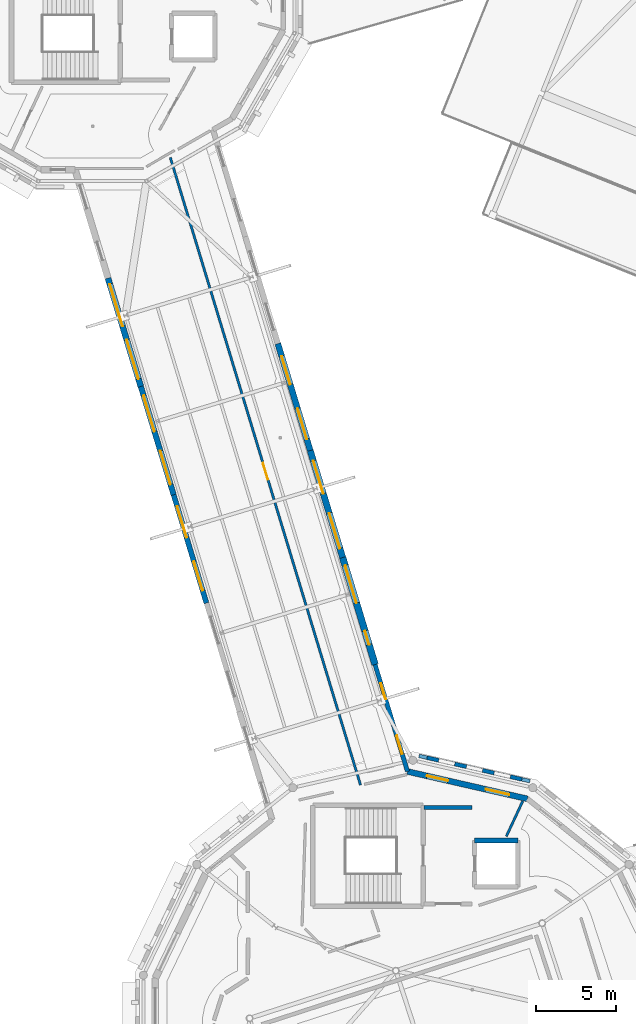
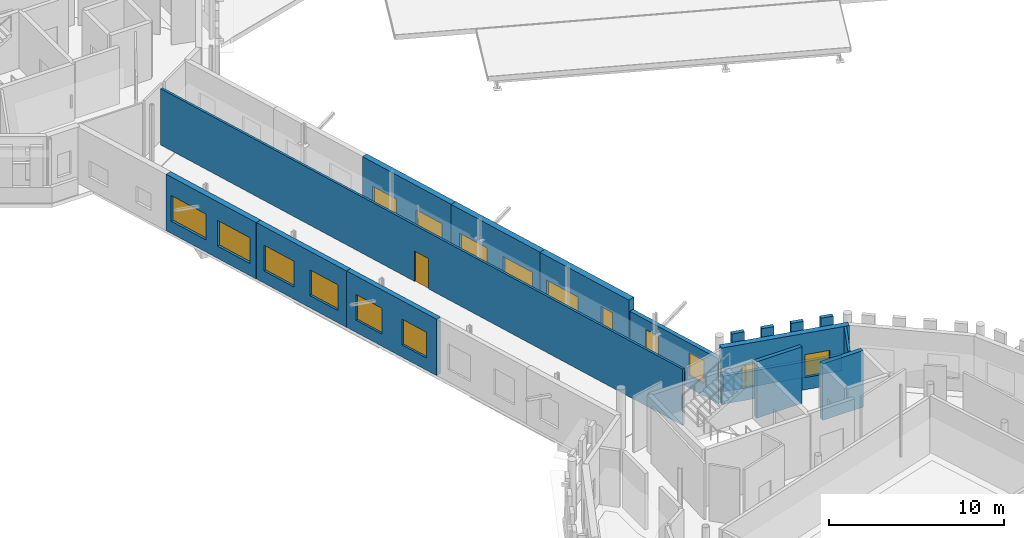
# One storey, part 54 of 90: 17 walls, 16 windows, 1 door, 17 openings.
"""IFC4 building model written with IfcOpenShell, lengths in metres."""

from ifc_helpers import new_model, si_unit, direction, frame, frame_2d, origin, place, context, subcontext, project, spatial, rectangle, extrude, material, layer, layer_set, type_object, element, fill, save


model = new_model("IFC4")

# Units and contexts
model_context = context("Model", 3, precision=1e-05, world=origin(), true_north=direction((0.0, 1.0)))
body_context = subcontext(model_context, "Body", "Model", "MODEL_VIEW")
ifc_project = project(units=[si_unit("LENGTHUNIT", "METRE"), si_unit("AREAUNIT", "SQUARE_METRE"), si_unit("VOLUMEUNIT", "CUBIC_METRE"), si_unit("PLANEANGLEUNIT", "RADIAN"), si_unit("MASSUNIT", "GRAM", prefix="KILO")], contexts=[model_context])

# Site, building, storey
site_placement = place(None, origin())
site = spatial("IfcSite", under=ifc_project, at=site_placement, CompositionType="ELEMENT")
building_placement = place(site_placement, origin())
building = spatial("IfcBuilding", under=site, at=building_placement, Name="Wrenclough Park School", CompositionType="ELEMENT")
storey_placement = place(building_placement, frame((0.0, 0.0, 8.39990234375)))
storey = spatial("IfcBuildingStorey", under=building, at=storey_placement, Name="L02", CompositionType="ELEMENT", Elevation=8.39990234375)

# Walls
ifc_material_1 = material(Name="Perforated open-bond Staffordshire and Manchester brick screen pier", Category="masonry")
ifc_layer_1 = layer(ifc_material_1, 0.2451171875)
ifc_layer_set_1 = layer_set([ifc_layer_1], Name="Perforated open-bond Staffordshire and Manchester brick screen pier")
wall_type_1 = type_object("IfcWallType", Name="ENV-BS-PR245", PredefinedType="ELEMENTEDWALL", material=ifc_layer_set_1)
wall_1_placement = place(storey_placement, frame((43.302978515625, 39.5625, 1.090087890625), z_axis=(0.0, 0.0, 1.0), x_axis=(-0.974874768559, 0.222753643354, 0.0)))
element("IfcWall", 1, at=wall_1_placement, inside=storey, type_object=wall_type_1, Name="D2 L02 perforated brick screen pier 0462", PredefinedType="ELEMENTEDWALL", context=body_context, shape_type="SweptSolid", body=[
    extrude(rectangle(XDim=0.745361328125, YDim=0.2451171875, at=frame_2d((0.37255859375, 0.0))), origin(), (0.0, 0.0, 1.0), 2.85009765625),
])
for number, where, z_axis, x_axis, name in (
    (2, (41.572509765625, 39.95751953125, 1.090087890625), (0.0, 0.0, 1.0), (-0.974929642305, 0.222513353655, 0.0), "D2 L02 perforated brick screen pier 0463"),
    (3, (39.842041015625, 40.3525390625, 1.090087890625), (0.0, 0.0, 1.0), (-0.974929642305, 0.222513353655, 0.0), "D2 L02 perforated brick screen pier 0464"),
    (4, (38.11181640625, 40.74755859375, 1.090087890625), (0.0, 0.0, 1.0), (-0.974945860046, 0.222442284601, 0.0), "D2 L02 perforated brick screen pier 0465"),
):
    element("IfcWall", number, at=place(storey_placement, frame(where, z_axis=z_axis, x_axis=x_axis)), inside=storey, type_object=wall_type_1, Name=name, PredefinedType="ELEMENTEDWALL", context=body_context, shape_type="SweptSolid", body=[
        extrude(rectangle(XDim=0.7451171875, YDim=0.2451171875, at=frame_2d((0.37255859375, 0.0))), origin(), (0.0, 0.0, 1.0), 2.85009765625),
    ])
ifc_material_2 = material(Name="Open-bond Manchester multi-stock brick spandrel screen", Category="masonry")
ifc_layer_2 = layer(ifc_material_2, 0.22509765625)
ifc_layer_set_2 = layer_set([ifc_layer_2], Name="Open-bond Manchester multi-stock brick spandrel screen")
wall_type_2 = type_object("IfcWallType", Name="ENV-BS-SP225", PredefinedType="ELEMENTEDWALL", material=ifc_layer_set_2)
wall_2_placement = place(storey_placement, frame((43.804931640625, 39.447998046875, 0.0), z_axis=(0.0, 0.0, 1.0), x_axis=(-0.974927395508, 0.222523197641, 0.0)))
element("IfcWall", 5, at=wall_2_placement, inside=storey, type_object=wall_type_2, Name="D2 L02 open-bond brick screen spandrel 0126", PredefinedType="ELEMENTEDWALL", context=body_context, shape_type="SweptSolid", body=[
    extrude(rectangle(XDim=7.099609375, YDim=0.22509765625, at=frame_2d((3.5498046875, 0.0))), origin(), (0.0, 0.0, 1.0), 1.090087890625),
])

# Wall, openings, windows
ifc_material_3 = material(Name="Link wing brick-faced cavity wall Concrete C32/40", Category="masonry")
ifc_layer_3 = layer(ifc_material_3, 0.27490234375)
ifc_layer_set_3 = layer_set([ifc_layer_3], Name="Link wing brick-faced cavity wall Concrete C32/40")
wall_type_3 = type_object("IfcWallType", Name="ENV-EW-275", PredefinedType="SOLIDWALL", material=ifc_layer_set_3)
wall_3_placement = place(storey_placement, frame((34.142578125, 46.727783203125, 0.0), z_axis=(0.0, 0.0, 1.0), x_axis=(0.289999622439, -0.957026759806, 0.0)))
wall_3 = element("IfcWall", 6, at=wall_3_placement, inside=storey, type_object=wall_type_3, Name="L02 insulated brick external wall 0246", PredefinedType="SOLIDWALL", context=body_context, shape_type="SweptSolid", body=[
    extrude(rectangle(XDim=6.97412109375, YDim=0.27490234375, at=frame_2d((3.487060546875, 0.0))), origin(), (0.0, 0.0, 1.0), 3.132080078125),
])
opening_1_placement = place(wall_3_placement, frame((1.218505859375, 0.0, 0.85009765625)))
opening_1 = element("IfcOpeningElement", 7, at=opening_1_placement, cuts=wall_3, Name="Opening WN-14", PredefinedType="OPENING", context=body_context, shape_type="SweptSolid", body=[
    extrude(rectangle(XDim=1.050048828125, YDim=1.60009765625, at=frame_2d((0.52490234375, 0.800048828125))), frame((0.0, 0.1474609375, 0.0), z_axis=(0.0, -1.0, 0.0), x_axis=(1.0, 0.0, 0.0)), (0.0, 0.0, 1.0), 0.294921875),
])
opening_2_placement = place(wall_3_placement, frame((4.630615234375, 0.0, 0.85009765625)))
opening_2 = element("IfcOpeningElement", 8, at=opening_2_placement, cuts=wall_3, Name="Opening WN-15", PredefinedType="OPENING", context=body_context, shape_type="SweptSolid", body=[
    extrude(rectangle(XDim=1.199951171875, YDim=1.60009765625, at=frame_2d((0.60009765625, 0.800048828125))), frame((0.0, 0.1474609375, 0.0), z_axis=(0.0, -1.0, 0.0), x_axis=(1.0, 0.0, 0.0)), (0.0, 0.0, 1.0), 0.294921875),
])
ifc_material_4 = material(Name="Thermally broken aluminium and double-glazed low-e glass", Category="aluminium")
window_type_1 = type_object("IfcWindowType", Name="ENV-WN-14", PartitioningType="SINGLE_PANEL", PredefinedType="WINDOW", material=ifc_material_4)
window_1_placement = place(opening_1_placement, origin())
window_1 = element("IfcWindow", 9, at=window_1_placement, inside=storey, type_object=window_type_1, Name="L02 scheduled facade window 0405", OverallHeight=1.60009765625, OverallWidth=1.050048828125, PartitioningType="SINGLE_PANEL", PredefinedType="WINDOW", context=body_context, shape_type="SweptSolid", body=[
    extrude(rectangle(XDim=1.050048828125, YDim=1.60009765625, at=frame_2d((0.52490234375, 0.800048828125))), frame((0.0, 0.030029296875, 0.0), z_axis=(0.0, -1.0, 0.0), x_axis=(1.0, 0.0, 0.0)), (0.0, 0.0, 1.0), 0.06005859375),
])
fill(opening_1, window_1)
window_type_2 = type_object("IfcWindowType", Name="ENV-WN-15", PartitioningType="SINGLE_PANEL", PredefinedType="WINDOW", material=ifc_material_4)
window_2_placement = place(opening_2_placement, origin())
window_2 = element("IfcWindow", 10, at=window_2_placement, inside=storey, type_object=window_type_2, Name="L02 scheduled facade window 0406", OverallHeight=1.60009765625, OverallWidth=1.199951171875, PartitioningType="SINGLE_PANEL", PredefinedType="WINDOW", context=body_context, shape_type="SweptSolid", body=[
    extrude(rectangle(XDim=1.199951171875, YDim=1.60009765625, at=frame_2d((0.60009765625, 0.800048828125))), frame((0.0, 0.030029296875, 0.0), z_axis=(0.0, -1.0, 0.0), x_axis=(1.0, 0.0, 0.0)), (0.0, 0.0, 1.0), 0.06005859375),
])
fill(opening_2, window_2)

ifc_material_5 = material(Name="Manchester multi-stock brick and Concrete C32/40 inner leaf", Category="masonry")
ifc_layer_4 = layer(ifc_material_5, 0.324951171875)
ifc_layer_set_4 = layer_set([ifc_layer_4], Name="Manchester multi-stock brick and Concrete C32/40 inner leaf")
wall_type_4 = type_object("IfcWallType", Name="ENV-EW-325", PredefinedType="SOLIDWALL", material=ifc_layer_set_4)
wall_4_placement = place(storey_placement, frame((23.619140625, 50.55859375, 0.0), z_axis=(0.0, 0.0, 1.0), x_axis=(-0.290004516903, 0.957025276665, 0.0)))
wall_4 = element("IfcWall", 11, at=wall_4_placement, inside=storey, type_object=wall_type_4, Name="L02 insulated brick external wall 0225", PredefinedType="SOLIDWALL", context=body_context, shape_type="SweptSolid", body=[
    extrude(rectangle(XDim=7.062255859375, YDim=0.324951171875, at=frame_2d((3.53125, 0.0))), origin(), (0.0, 0.0, 1.0), 3.940185546875),
])
opening_3_placement = place(wall_4_placement, frame((0.815673828125, 0.0, 0.85009765625)))
opening_3 = element("IfcOpeningElement", 12, at=opening_3_placement, cuts=wall_4, Name="Opening WN-31", PredefinedType="OPENING", context=body_context, shape_type="SweptSolid", body=[
    extrude(rectangle(XDim=1.89990234375, YDim=1.800048828125, at=frame_2d((0.949951171875, 0.89990234375))), frame((0.0, 0.17236328125, 0.0), z_axis=(0.0, -1.0, 0.0), x_axis=(1.0, 0.0, 0.0)), (0.0, 0.0, 1.0), 0.344970703125),
])
opening_4_placement = place(wall_4_placement, frame((4.271728515625, 0.0, 0.85009765625)))
opening_4 = element("IfcOpeningElement", 13, at=opening_4_placement, cuts=wall_4, Name="Opening WN-32", PredefinedType="OPENING", context=body_context, shape_type="SweptSolid", body=[
    extrude(rectangle(XDim=2.050048828125, YDim=1.800048828125, at=frame_2d((1.02490234375, 0.89990234375))), frame((0.0, 0.17236328125, 0.0), z_axis=(0.0, -1.0, 0.0), x_axis=(1.0, 0.0, 0.0)), (0.0, 0.0, 1.0), 0.344970703125),
])
window_type_3 = type_object("IfcWindowType", Name="ENV-WN-31", PartitioningType="DOUBLE_PANEL_VERTICAL", PredefinedType="WINDOW", material=ifc_material_4)
window_3_placement = place(opening_3_placement, origin())
window_3 = element("IfcWindow", 14, at=window_3_placement, inside=storey, type_object=window_type_3, Name="L02 scheduled facade window 0366", OverallHeight=1.800048828125, OverallWidth=1.89990234375, PartitioningType="SINGLE_PANEL", PredefinedType="WINDOW", context=body_context, shape_type="SweptSolid", body=[
    extrude(rectangle(XDim=1.89990234375, YDim=1.800048828125, at=frame_2d((0.949951171875, 0.89990234375))), frame((0.0, 0.030029296875, 0.0), z_axis=(0.0, -1.0, 0.0), x_axis=(1.0, 0.0, 0.0)), (0.0, 0.0, 1.0), 0.06005859375),
])
fill(opening_3, window_3)
window_type_4 = type_object("IfcWindowType", Name="ENV-WN-32", PartitioningType="DOUBLE_PANEL_VERTICAL", PredefinedType="WINDOW", material=ifc_material_4)
window_4_placement = place(opening_4_placement, origin())
window_4 = element("IfcWindow", 15, at=window_4_placement, inside=storey, type_object=window_type_4, Name="L02 scheduled facade window 0367", OverallHeight=1.800048828125, OverallWidth=2.050048828125, PartitioningType="SINGLE_PANEL", PredefinedType="WINDOW", context=body_context, shape_type="SweptSolid", body=[
    extrude(rectangle(XDim=2.050048828125, YDim=1.800048828125, at=frame_2d((1.02490234375, 0.89990234375))), frame((0.0, 0.030029296875, 0.0), z_axis=(0.0, -1.0, 0.0), x_axis=(1.0, 0.0, 0.0)), (0.0, 0.0, 1.0), 0.06005859375),
])
fill(opening_4, window_4)

ifc_material_6 = material(Name="Staffordshire blue-grey brick and Concrete C35/45 inner leaf", Category="masonry")
ifc_layer_5 = layer(ifc_material_6, 0.35009765625)
ifc_layer_set_5 = layer_set([ifc_layer_5], Name="Staffordshire blue-grey brick and Concrete C35/45 inner leaf")
wall_type_5 = type_object("IfcWallType", Name="ENV-EW-350", PredefinedType="SOLIDWALL", material=ifc_layer_set_5)
wall_5_placement = place(storey_placement, frame((21.571044921875, 57.3173828125, 0.0), z_axis=(0.0, 0.0, 1.0), x_axis=(-0.289994922697, 0.957028183916, 0.0)))
wall_5 = element("IfcWall", 16, at=wall_5_placement, inside=storey, type_object=wall_type_5, Name="L02 insulated brick external wall 0226", PredefinedType="SOLIDWALL", context=body_context, shape_type="SweptSolid", body=[
    extrude(rectangle(XDim=7.0625, YDim=0.35009765625, at=frame_2d((3.53125, 0.0))), origin(), (0.0, 0.0, 1.0), 3.940185546875),
])
opening_5_placement = place(wall_5_placement, frame((0.66552734375, 0.0, 0.85009765625)))
opening_5 = element("IfcOpeningElement", 17, at=opening_5_placement, cuts=wall_5, Name="Opening WN-33", PredefinedType="OPENING", context=body_context, shape_type="SweptSolid", body=[
    extrude(rectangle(XDim=2.199951171875, YDim=1.800048828125, at=frame_2d((1.10009765625, 0.89990234375))), frame((0.0, 0.18505859375, 0.0), z_axis=(0.0, -1.0, 0.0), x_axis=(1.0, 0.0, 0.0)), (0.0, 0.0, 1.0), 0.3701171875),
])
opening_6_placement = place(wall_5_placement, frame((4.121826171875, 0.0, 0.85009765625)))
opening_6 = element("IfcOpeningElement", 18, at=opening_6_placement, cuts=wall_5, Name="Opening WN-34", PredefinedType="OPENING", context=body_context, shape_type="SweptSolid", body=[
    extrude(rectangle(XDim=2.35009765625, YDim=1.800048828125, at=frame_2d((1.175048828125, 0.89990234375))), frame((0.0, 0.18505859375, 0.0), z_axis=(0.0, -1.0, 0.0), x_axis=(1.0, 0.0, 0.0)), (0.0, 0.0, 1.0), 0.3701171875),
])
window_type_5 = type_object("IfcWindowType", Name="ENV-WN-33", PartitioningType="DOUBLE_PANEL_VERTICAL", PredefinedType="WINDOW", material=ifc_material_4)
window_5_placement = place(opening_5_placement, origin())
window_5 = element("IfcWindow", 19, at=window_5_placement, inside=storey, type_object=window_type_5, Name="L02 scheduled facade window 0368", OverallHeight=1.800048828125, OverallWidth=2.199951171875, PartitioningType="SINGLE_PANEL", PredefinedType="WINDOW", context=body_context, shape_type="SweptSolid", body=[
    extrude(rectangle(XDim=2.199951171875, YDim=1.800048828125, at=frame_2d((1.10009765625, 0.89990234375))), frame((0.0, 0.030029296875, 0.0), z_axis=(0.0, -1.0, 0.0), x_axis=(1.0, 0.0, 0.0)), (0.0, 0.0, 1.0), 0.06005859375),
])
fill(opening_5, window_5)
window_type_6 = type_object("IfcWindowType", Name="ENV-WN-34", PartitioningType="DOUBLE_PANEL_VERTICAL", PredefinedType="WINDOW", material=ifc_material_4)
window_6_placement = place(opening_6_placement, origin())
window_6 = element("IfcWindow", 20, at=window_6_placement, inside=storey, type_object=window_type_6, Name="L02 scheduled facade window 0369", OverallHeight=1.800048828125, OverallWidth=2.35009765625, PartitioningType="SINGLE_PANEL", PredefinedType="WINDOW", context=body_context, shape_type="SweptSolid", body=[
    extrude(rectangle(XDim=2.35009765625, YDim=1.800048828125, at=frame_2d((1.175048828125, 0.89990234375))), frame((0.0, 0.030029296875, 0.0), z_axis=(0.0, -1.0, 0.0), x_axis=(1.0, 0.0, 0.0)), (0.0, 0.0, 1.0), 0.06005859375),
])
fill(opening_6, window_6)

ifc_material_7 = material(Name="Faceted courtyard brick-cavity wall Concrete C35/45", Category="masonry")
ifc_layer_6 = layer(ifc_material_7, 0.364990234375)
ifc_layer_set_6 = layer_set([ifc_layer_6], Name="Faceted courtyard brick-cavity wall Concrete C35/45")
wall_type_6 = type_object("IfcWallType", Name="ENV-EW-365", PredefinedType="SOLIDWALL", material=ifc_layer_set_6)
wall_6_placement = place(storey_placement, frame((36.1650390625, 40.053466796875, 0.0), z_axis=(0.0, 0.0, 1.0), x_axis=(0.974926557855, -0.222526867568, 0.0)))
wall_6 = element("IfcWall", 21, at=wall_6_placement, inside=storey, type_object=wall_type_6, Name="L02 insulated brick external wall 0247", PredefinedType="SOLIDWALL", context=body_context, shape_type="SweptSolid", body=[
    extrude(rectangle(XDim=7.676513671875, YDim=0.364990234375, at=frame_2d((3.83837890625, 0.0))), origin(), (0.0, 0.0, 1.0), 3.940185546875),
])
opening_7_placement = place(wall_6_placement, frame((1.244140625, 0.0, 0.85009765625)))
opening_7 = element("IfcOpeningElement", 22, at=opening_7_placement, cuts=wall_6, Name="Opening WN-16", PredefinedType="OPENING", context=body_context, shape_type="SweptSolid", body=[
    extrude(rectangle(XDim=1.35009765625, YDim=1.60009765625, at=frame_2d((0.675048828125, 0.800048828125))), frame((0.0, 0.1923828125, 0.0), z_axis=(0.0, -1.0, 0.0), x_axis=(1.0, 0.0, 0.0)), (0.0, 0.0, 1.0), 0.385009765625),
])
opening_8_placement = place(wall_6_placement, frame((5.007568359375, 0.0, 0.85009765625)))
opening_8 = element("IfcOpeningElement", 23, at=opening_8_placement, cuts=wall_6, Name="Opening WN-17", PredefinedType="OPENING", context=body_context, shape_type="SweptSolid", body=[
    extrude(rectangle(XDim=1.5, YDim=1.60009765625, at=frame_2d((0.75, 0.800048828125))), frame((0.0, 0.1923828125, 0.0), z_axis=(0.0, -1.0, 0.0), x_axis=(1.0, 0.0, 0.0)), (0.0, 0.0, 1.0), 0.385009765625),
])
window_type_7 = type_object("IfcWindowType", Name="ENV-WN-16", PartitioningType="SINGLE_PANEL", PredefinedType="WINDOW", material=ifc_material_4)
window_7_placement = place(opening_7_placement, origin())
window_7 = element("IfcWindow", 24, at=window_7_placement, inside=storey, type_object=window_type_7, Name="L02 scheduled facade window 0407", OverallHeight=1.60009765625, OverallWidth=1.35009765625, PartitioningType="SINGLE_PANEL", PredefinedType="WINDOW", context=body_context, shape_type="SweptSolid", body=[
    extrude(rectangle(XDim=1.35009765625, YDim=1.60009765625, at=frame_2d((0.675048828125, 0.800048828125))), frame((0.0, 0.030029296875, 0.0), z_axis=(0.0, -1.0, 0.0), x_axis=(1.0, 0.0, 0.0)), (0.0, 0.0, 1.0), 0.06005859375),
])
fill(opening_7, window_7)
window_type_8 = type_object("IfcWindowType", Name="ENV-WN-17", PartitioningType="DOUBLE_PANEL_VERTICAL", PredefinedType="WINDOW", material=ifc_material_4)
window_8_placement = place(opening_8_placement, origin())
window_8 = element("IfcWindow", 25, at=window_8_placement, inside=storey, type_object=window_type_8, Name="L02 scheduled facade window 0408", OverallHeight=1.60009765625, OverallWidth=1.5, PartitioningType="SINGLE_PANEL", PredefinedType="WINDOW", context=body_context, shape_type="SweptSolid", body=[
    extrude(rectangle(XDim=1.5, YDim=1.60009765625, at=frame_2d((0.75, 0.800048828125))), frame((0.0, 0.030029296875, 0.0), z_axis=(0.0, -1.0, 0.0), x_axis=(1.0, 0.0, 0.0)), (0.0, 0.0, 1.0), 0.06005859375),
])
fill(opening_8, window_8)

ifc_material_8 = material(Name="Manchester multi-stock brick and Concrete C35/45 inner leaf", Category="masonry")
ifc_layer_7 = layer(ifc_material_8, 0.3798828125)
ifc_layer_set_7 = layer_set([ifc_layer_7], Name="Manchester multi-stock brick and Concrete C35/45 inner leaf")
wall_type_7 = type_object("IfcWallType", Name="ENV-EW-380", PredefinedType="SOLIDWALL", material=ifc_layer_set_7)
wall_7_placement = place(storey_placement, frame((19.52294921875, 64.076416015625, 0.0), z_axis=(0.0, 0.0, 1.0), x_axis=(-0.290004516903, 0.957025276665, 0.0)))
wall_7 = element("IfcWall", 26, at=wall_7_placement, inside=storey, type_object=wall_type_7, Name="L02 insulated brick external wall 0227", PredefinedType="SOLIDWALL", context=body_context, shape_type="SweptSolid", body=[
    extrude(rectangle(XDim=7.062255859375, YDim=0.3798828125, at=frame_2d((3.53125, 0.0))), origin(), (0.0, 0.0, 1.0), 3.940185546875),
])
opening_9_placement = place(wall_7_placement, frame((0.490478515625, 0.0, 0.85009765625)))
opening_9 = element("IfcOpeningElement", 27, at=opening_9_placement, cuts=wall_7, Name="Opening WN-35", PredefinedType="OPENING", context=body_context, shape_type="SweptSolid", body=[
    extrude(rectangle(XDim=2.550048828125, YDim=1.800048828125, at=frame_2d((1.27490234375, 0.89990234375))), frame((0.0, 0.199951171875, 0.0), z_axis=(0.0, -1.0, 0.0), x_axis=(1.0, 0.0, 0.0)), (0.0, 0.0, 1.0), 0.39990234375),
])
opening_10_placement = place(wall_7_placement, frame((3.921875, 0.0, 0.85009765625)))
opening_10 = element("IfcOpeningElement", 28, at=opening_10_placement, cuts=wall_7, Name="Opening WN-36", PredefinedType="OPENING", context=body_context, shape_type="SweptSolid", body=[
    extrude(rectangle(XDim=2.75, YDim=1.800048828125, at=frame_2d((1.375, 0.89990234375))), frame((0.0, 0.199951171875, 0.0), z_axis=(0.0, -1.0, 0.0), x_axis=(1.0, 0.0, 0.0)), (0.0, 0.0, 1.0), 0.39990234375),
])
window_type_9 = type_object("IfcWindowType", Name="ENV-WN-35", PartitioningType="DOUBLE_PANEL_VERTICAL", PredefinedType="WINDOW", material=ifc_material_4)
window_9_placement = place(opening_9_placement, origin())
window_9 = element("IfcWindow", 29, at=window_9_placement, inside=storey, type_object=window_type_9, Name="L02 scheduled facade window 0370", OverallHeight=1.800048828125, OverallWidth=2.550048828125, PartitioningType="SINGLE_PANEL", PredefinedType="WINDOW", context=body_context, shape_type="SweptSolid", body=[
    extrude(rectangle(XDim=2.550048828125, YDim=1.800048828125, at=frame_2d((1.27490234375, 0.89990234375))), frame((0.0, 0.030029296875, 0.0), z_axis=(0.0, -1.0, 0.0), x_axis=(1.0, 0.0, 0.0)), (0.0, 0.0, 1.0), 0.06005859375),
])
fill(opening_9, window_9)
window_type_10 = type_object("IfcWindowType", Name="ENV-WN-36", PartitioningType="DOUBLE_PANEL_VERTICAL", PredefinedType="WINDOW", material=ifc_material_4)
window_10_placement = place(opening_10_placement, origin())
window_10 = element("IfcWindow", 30, at=window_10_placement, inside=storey, type_object=window_type_10, Name="L02 scheduled facade window 0371", OverallHeight=1.800048828125, OverallWidth=2.75, PartitioningType="SINGLE_PANEL", PredefinedType="WINDOW", context=body_context, shape_type="SweptSolid", body=[
    extrude(rectangle(XDim=2.75, YDim=1.800048828125, at=frame_2d((1.375, 0.89990234375))), frame((0.0, 0.030029296875, 0.0), z_axis=(0.0, -1.0, 0.0), x_axis=(1.0, 0.0, 0.0)), (0.0, 0.0, 1.0), 0.06005859375),
])
fill(opening_10, window_10)

wall_8_placement = place(storey_placement, frame((28.074951171875, 66.7509765625, 0.0), z_axis=(0.0, 0.0, 1.0), x_axis=(0.289989906943, -0.957029703756, 0.0)))
wall_8 = element("IfcWall", 31, at=wall_8_placement, inside=storey, type_object=wall_type_7, Name="L02 insulated brick external wall 0243", PredefinedType="SOLIDWALL", context=body_context, shape_type="SweptSolid", body=[
    extrude(rectangle(XDim=6.974365234375, YDim=0.3798828125, at=frame_2d((3.4873046875, 0.0))), origin(), (0.0, 0.0, 1.0), 3.940185546875),
])
opening_11_placement = place(wall_8_placement, frame((0.818603515625, 0.0, 0.85009765625)))
opening_11 = element("IfcOpeningElement", 32, at=opening_11_placement, cuts=wall_8, Name="Opening WN-08", PredefinedType="OPENING", context=body_context, shape_type="SweptSolid", body=[
    extrude(rectangle(XDim=1.85009765625, YDim=1.39990234375, at=frame_2d((0.925048828125, 0.699951171875))), frame((0.0, 0.199951171875, 0.0), z_axis=(0.0, -1.0, 0.0), x_axis=(1.0, 0.0, 0.0)), (0.0, 0.0, 1.0), 0.39990234375),
])
opening_12_placement = place(wall_8_placement, frame((4.230712890625, 0.0, 0.85009765625)))
opening_12 = element("IfcOpeningElement", 33, at=opening_12_placement, cuts=wall_8, Name="Opening WN-09", PredefinedType="OPENING", context=body_context, shape_type="SweptSolid", body=[
    extrude(rectangle(XDim=2.0, YDim=1.39990234375, at=frame_2d((1.0, 0.699951171875))), frame((0.0, 0.199951171875, 0.0), z_axis=(0.0, -1.0, 0.0), x_axis=(1.0, 0.0, 0.0)), (0.0, 0.0, 1.0), 0.39990234375),
])
window_type_11 = type_object("IfcWindowType", Name="ENV-WN-08", PartitioningType="DOUBLE_PANEL_VERTICAL", PredefinedType="WINDOW", material=ifc_material_4)
window_11_placement = place(opening_11_placement, origin())
window_11 = element("IfcWindow", 34, at=window_11_placement, inside=storey, type_object=window_type_11, Name="L02 scheduled facade window 0399", OverallHeight=1.39990234375, OverallWidth=1.85009765625, PartitioningType="SINGLE_PANEL", PredefinedType="WINDOW", context=body_context, shape_type="SweptSolid", body=[
    extrude(rectangle(XDim=1.85009765625, YDim=1.39990234375, at=frame_2d((0.925048828125, 0.699951171875))), frame((0.0, 0.030029296875, 0.0), z_axis=(0.0, -1.0, 0.0), x_axis=(1.0, 0.0, 0.0)), (0.0, 0.0, 1.0), 0.06005859375),
])
fill(opening_11, window_11)
window_type_12 = type_object("IfcWindowType", Name="ENV-WN-09", PartitioningType="DOUBLE_PANEL_VERTICAL", PredefinedType="WINDOW", material=ifc_material_4)
window_12_placement = place(opening_12_placement, origin())
window_12 = element("IfcWindow", 35, at=window_12_placement, inside=storey, type_object=window_type_12, Name="L02 scheduled facade window 0400", OverallHeight=1.39990234375, OverallWidth=2.0, PartitioningType="SINGLE_PANEL", PredefinedType="WINDOW", context=body_context, shape_type="SweptSolid", body=[
    extrude(rectangle(XDim=2.0, YDim=1.39990234375, at=frame_2d((1.0, 0.699951171875))), frame((0.0, 0.030029296875, 0.0), z_axis=(0.0, -1.0, 0.0), x_axis=(1.0, 0.0, 0.0)), (0.0, 0.0, 1.0), 0.06005859375),
])
fill(opening_12, window_12)

ifc_material_9 = material(Name="Staffordshire blue-grey brick and Concrete C40/50 acoustic leaf", Category="masonry")
ifc_layer_8 = layer(ifc_material_9, 0.39990234375)
ifc_layer_set_8 = layer_set([ifc_layer_8], Name="Staffordshire blue-grey brick and Concrete C40/50 acoustic leaf")
wall_type_8 = type_object("IfcWallType", Name="ENV-EW-400", PredefinedType="SOLIDWALL", material=ifc_layer_set_8)
wall_9_placement = place(storey_placement, frame((30.097412109375, 60.076416015625, 0.0), z_axis=(0.0, 0.0, 1.0), x_axis=(0.289999622439, -0.957026759806, 0.0)))
wall_9 = element("IfcWall", 36, at=wall_9_placement, inside=storey, type_object=wall_type_8, Name="L02 insulated brick external wall 0244", PredefinedType="SOLIDWALL", context=body_context, shape_type="SweptSolid", body=[
    extrude(rectangle(XDim=6.97412109375, YDim=0.39990234375, at=frame_2d((3.487060546875, 0.0))), origin(), (0.0, 0.0, 1.0), 3.940185546875),
])
opening_13_placement = place(wall_9_placement, frame((0.66845703125, 0.0, 0.85009765625)))
opening_13 = element("IfcOpeningElement", 37, at=opening_13_placement, cuts=wall_9, Name="Opening WN-10", PredefinedType="OPENING", context=body_context, shape_type="SweptSolid", body=[
    extrude(rectangle(XDim=2.14990234375, YDim=1.39990234375, at=frame_2d((1.074951171875, 0.699951171875))), frame((0.0, 0.2099609375, 0.0), z_axis=(0.0, -1.0, 0.0), x_axis=(1.0, 0.0, 0.0)), (0.0, 0.0, 1.0), 0.419921875),
])
opening_14_placement = place(wall_9_placement, frame((4.08056640625, 0.0, 0.85009765625)))
opening_14 = element("IfcOpeningElement", 38, at=opening_14_placement, cuts=wall_9, Name="Opening WN-11", PredefinedType="OPENING", context=body_context, shape_type="SweptSolid", body=[
    extrude(rectangle(XDim=2.300048828125, YDim=1.39990234375, at=frame_2d((1.14990234375, 0.699951171875))), frame((0.0, 0.2099609375, 0.0), z_axis=(0.0, -1.0, 0.0), x_axis=(1.0, 0.0, 0.0)), (0.0, 0.0, 1.0), 0.419921875),
])
window_type_13 = type_object("IfcWindowType", Name="ENV-WN-10", PartitioningType="DOUBLE_PANEL_VERTICAL", PredefinedType="WINDOW", material=ifc_material_4)
window_13_placement = place(opening_13_placement, origin())
window_13 = element("IfcWindow", 39, at=window_13_placement, inside=storey, type_object=window_type_13, Name="L02 scheduled facade window 0401", OverallHeight=1.39990234375, OverallWidth=2.14990234375, PartitioningType="SINGLE_PANEL", PredefinedType="WINDOW", context=body_context, shape_type="SweptSolid", body=[
    extrude(rectangle(XDim=2.14990234375, YDim=1.39990234375, at=frame_2d((1.074951171875, 0.699951171875))), frame((0.0, 0.030029296875, 0.0), z_axis=(0.0, -1.0, 0.0), x_axis=(1.0, 0.0, 0.0)), (0.0, 0.0, 1.0), 0.06005859375),
])
fill(opening_13, window_13)
window_type_14 = type_object("IfcWindowType", Name="ENV-WN-11", PartitioningType="DOUBLE_PANEL_VERTICAL", PredefinedType="WINDOW", material=ifc_material_4)
window_14_placement = place(opening_14_placement, origin())
window_14 = element("IfcWindow", 40, at=window_14_placement, inside=storey, type_object=window_type_14, Name="L02 scheduled facade window 0402", OverallHeight=1.39990234375, OverallWidth=2.300048828125, PartitioningType="SINGLE_PANEL", PredefinedType="WINDOW", context=body_context, shape_type="SweptSolid", body=[
    extrude(rectangle(XDim=2.300048828125, YDim=1.39990234375, at=frame_2d((1.14990234375, 0.699951171875))), frame((0.0, 0.030029296875, 0.0), z_axis=(0.0, -1.0, 0.0), x_axis=(1.0, 0.0, 0.0)), (0.0, 0.0, 1.0), 0.06005859375),
])
fill(opening_14, window_14)

ifc_material_10 = material(Name="Insulated brick-clad sports hall wall Concrete C40/50", Category="masonry")
ifc_layer_9 = layer(ifc_material_10, 0.425048828125)
ifc_layer_set_9 = layer_set([ifc_layer_9], Name="Insulated brick-clad sports hall wall Concrete C40/50")
wall_type_9 = type_object("IfcWallType", Name="ENV-EW-425", PredefinedType="SOLIDWALL", material=ifc_layer_set_9)
wall_10_placement = place(storey_placement, frame((32.119873046875, 53.402099609375, 0.0), z_axis=(0.0, 0.0, 1.0), x_axis=(0.29003168505, -0.957017043561, 0.0)))
wall_10 = element("IfcWall", 41, at=wall_10_placement, inside=storey, type_object=wall_type_9, Name="L02 insulated brick external wall 0245", PredefinedType="SOLIDWALL", context=body_context, shape_type="SweptSolid", body=[
    extrude(rectangle(XDim=6.97412109375, YDim=0.425048828125, at=frame_2d((3.487060546875, 0.0))), origin(), (0.0, 0.0, 1.0), 3.940185546875),
])
opening_15_placement = place(wall_10_placement, frame((0.5185546875, 0.0, 0.85009765625)))
opening_15 = element("IfcOpeningElement", 42, at=opening_15_placement, cuts=wall_10, Name="Opening WN-12", PredefinedType="OPENING", context=body_context, shape_type="SweptSolid", body=[
    extrude(rectangle(XDim=2.449951171875, YDim=1.39990234375, at=frame_2d((1.22509765625, 0.699951171875))), frame((0.0, 0.222412109375, 0.0), z_axis=(0.0, -1.0, 0.0), x_axis=(1.0, 0.0, 0.0)), (0.0, 0.0, 1.0), 0.445068359375),
])
opening_16_placement = place(wall_10_placement, frame((4.780517578125, 0.0, 0.85009765625)))
opening_16 = element("IfcOpeningElement", 43, at=opening_16_placement, cuts=wall_10, Name="Opening WN-13", PredefinedType="OPENING", context=body_context, shape_type="SweptSolid", body=[
    extrude(rectangle(XDim=0.89990234375, YDim=1.60009765625, at=frame_2d((0.449951171875, 0.800048828125))), frame((0.0, 0.222412109375, 0.0), z_axis=(0.0, -1.0, 0.0), x_axis=(1.0, 0.0, 0.0)), (0.0, 0.0, 1.0), 0.445068359375),
])
window_type_15 = type_object("IfcWindowType", Name="ENV-WN-12", PartitioningType="DOUBLE_PANEL_VERTICAL", PredefinedType="WINDOW", material=ifc_material_4)
window_15_placement = place(opening_15_placement, origin())
window_15 = element("IfcWindow", 44, at=window_15_placement, inside=storey, type_object=window_type_15, Name="L02 scheduled facade window 0403", OverallHeight=1.39990234375, OverallWidth=2.449951171875, PartitioningType="SINGLE_PANEL", PredefinedType="WINDOW", context=body_context, shape_type="SweptSolid", body=[
    extrude(rectangle(XDim=2.449951171875, YDim=1.39990234375, at=frame_2d((1.22509765625, 0.699951171875))), frame((0.0, 0.030029296875, 0.0), z_axis=(0.0, -1.0, 0.0), x_axis=(1.0, 0.0, 0.0)), (0.0, 0.0, 1.0), 0.06005859375),
])
fill(opening_15, window_15)
window_type_16 = type_object("IfcWindowType", Name="ENV-WN-13", PartitioningType="SINGLE_PANEL", PredefinedType="WINDOW", material=ifc_material_4)
window_16_placement = place(opening_16_placement, origin())
window_16 = element("IfcWindow", 45, at=window_16_placement, inside=storey, type_object=window_type_16, Name="L02 scheduled facade window 0404", OverallHeight=1.60009765625, OverallWidth=0.89990234375, PartitioningType="SINGLE_PANEL", PredefinedType="WINDOW", context=body_context, shape_type="SweptSolid", body=[
    extrude(rectangle(XDim=0.89990234375, YDim=1.60009765625, at=frame_2d((0.449951171875, 0.800048828125))), frame((0.0, 0.030029296875, 0.0), z_axis=(0.0, -1.0, 0.0), x_axis=(1.0, 0.0, 0.0)), (0.0, 0.0, 1.0), 0.06005859375),
])
fill(opening_16, window_16)

# Walls
ifc_material_11 = material(Name="Concrete C35/45", Category="concrete")
ifc_layer_10 = layer(ifc_material_11, 0.25)
ifc_layer_set_10 = layer_set([ifc_layer_10], Name="Concrete C35/45")
wall_type_10 = type_object("IfcWallType", Name="INT-CW-250", PredefinedType="SHEAR", material=ifc_layer_set_10)
wall_11_placement = place(storey_placement, frame((40.199951171875, 37.800048828125, 0.0), z_axis=(0.0, 0.0, 1.0), x_axis=(-1.0, 0.0, 0.0)))
element("IfcWall", 46, at=wall_11_placement, inside=storey, type_object=wall_type_10, Name="Core C2 L02 lobby fire wall north", PredefinedType="SHEAR", context=body_context, shape_type="SweptSolid", body=[
    extrude(rectangle(XDim=3.0, YDim=0.25, at=frame_2d((1.5, 0.0))), origin(), (0.0, 0.0, 1.0), 3.9501953125),
])
ifc_material_12 = material(Name="Concrete C40/50", Category="concrete")
ifc_layer_11 = layer(ifc_material_12, 0.2900390625)
ifc_layer_set_11 = layer_set([ifc_layer_11], Name="Concrete C40/50")
wall_type_11 = type_object("IfcWallType", Name="INT-CW-290", PredefinedType="SHEAR", material=ifc_layer_set_11)
wall_12_placement = place(storey_placement, frame((43.044921875, 35.7451171875, 0.0), z_axis=(0.0, 0.0, 1.0), x_axis=(-1.0, 0.0, 0.0)))
element("IfcWall", 47, at=wall_12_placement, inside=storey, type_object=wall_type_11, Name="Lift LFT-04 L02 north shaft wall", PredefinedType="SHEAR", context=body_context, shape_type="SweptSolid", body=[
    extrude(rectangle(XDim=2.68994140625, YDim=0.2900390625, at=frame_2d((1.344970703125, 0.0))), origin(), (0.0, 0.0, 1.0), 3.9501953125),
])
ifc_material_13 = material(Name="Protected corridor partition", Category="gypsum")
ifc_layer_12 = layer(ifc_material_13, 0.14990234375)
ifc_layer_set_12 = layer_set([ifc_layer_12], Name="Protected corridor partition")
wall_type_12 = type_object("IfcWallType", Name="INT-PW-150", PredefinedType="PARTITIONING", material=ifc_layer_set_12)
wall_13_placement = place(storey_placement, frame((43.3544921875, 38.19970703125, 0.0), z_axis=(0.0, 0.0, 1.0), x_axis=(-0.422526683329, -0.906350485119, 0.0)))
element("IfcWall", 48, at=wall_13_placement, inside=storey, type_object=wall_type_12, Name="L02 internal partition 0352", PredefinedType="PARTITIONING", context=body_context, shape_type="SweptSolid", body=[
    extrude(rectangle(XDim=2.421630859375, YDim=0.14990234375, at=frame_2d((1.2109375, 0.0))), origin(), (0.0, 0.0, 1.0), 3.93017578125),
])

# Wall, opening, door
wall_14_placement = place(storey_placement, frame((21.364501953125, 78.364501953125, 0.0), z_axis=(0.0, 0.0, 1.0), x_axis=(0.290089355637, -0.95699956413, 0.0)))
wall_14 = element("IfcWall", 49, at=wall_14_placement, inside=storey, type_object=wall_type_12, Name="L02 internal partition 0402", PredefinedType="PARTITIONING", context=body_context, shape_type="SweptSolid", body=[
    extrude(rectangle(XDim=40.923095703125, YDim=0.14990234375, at=frame_2d((20.46142578125, 0.0))), origin(), (0.0, 0.0, 1.0), 3.93017578125),
])
opening_17_placement = place(wall_14_placement, frame((19.921630859375, 0.0, 0.0)))
opening_17 = element("IfcOpeningElement", 50, at=opening_17_placement, cuts=wall_14, Name="Opening DR-L02-080", PredefinedType="OPENING", context=body_context, shape_type="SweptSolid", body=[
    extrude(rectangle(XDim=1.080078125, YDim=2.1201171875, at=frame_2d((0.5400390625, 1.06005859375))), frame((0.0, 0.0849609375, 0.0), z_axis=(0.0, -1.0, 0.0), x_axis=(1.0, 0.0, 0.0)), (0.0, 0.0, 1.0), 0.169921875),
])
ifc_material_14 = material(Name="Sixth-form seminar room door assembly", Category="wood")
door_type = type_object("IfcDoorType", Name="INT-DR-CL108", OperationType="NOTDEFINED", PredefinedType="DOOR", material=ifc_material_14)
door_placement = place(opening_17_placement, origin())
door = element("IfcDoor", 51, at=door_placement, inside=storey, type_object=door_type, Name="Design Tutorial Studio L02 door DR-L02-080", OperationType="SINGLE_SWING_LEFT", OverallHeight=2.1201171875, OverallWidth=1.080078125, PredefinedType="DOOR", context=body_context, shape_type="SweptSolid", body=[
    extrude(rectangle(XDim=1.080078125, YDim=2.1201171875, at=frame_2d((0.5400390625, 1.06005859375))), frame((0.0, 0.02490234375, 0.0), z_axis=(0.0, -1.0, 0.0), x_axis=(1.0, 0.0, 0.0)), (0.0, 0.0, 1.0), 0.050048828125),
])
fill(opening_17, door)

save(model, "model.ifc")
